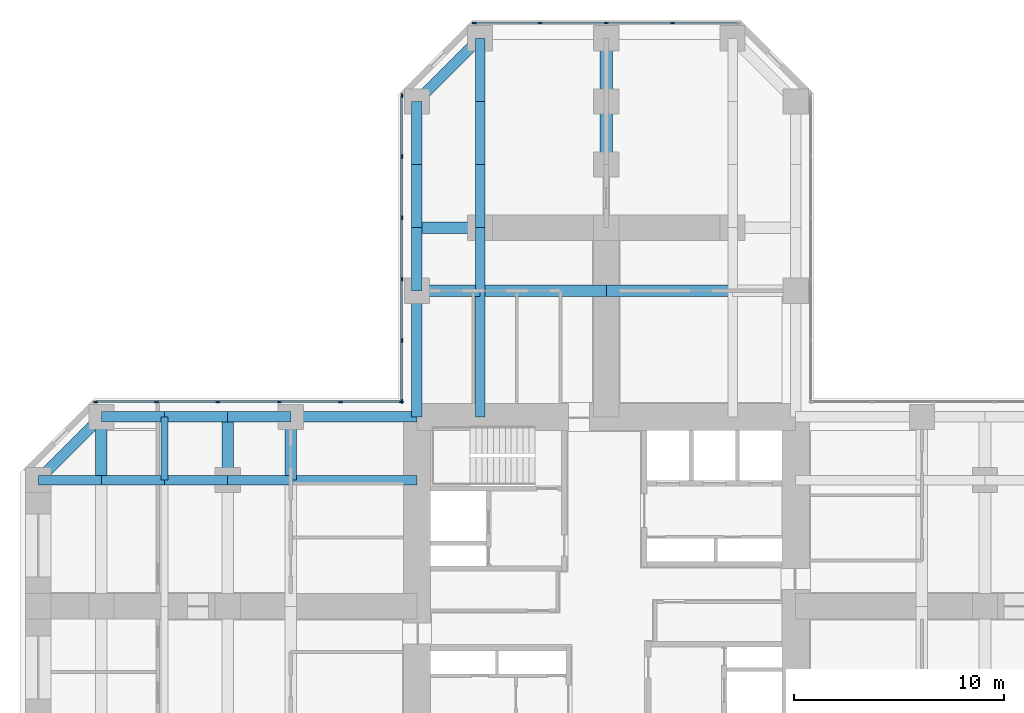
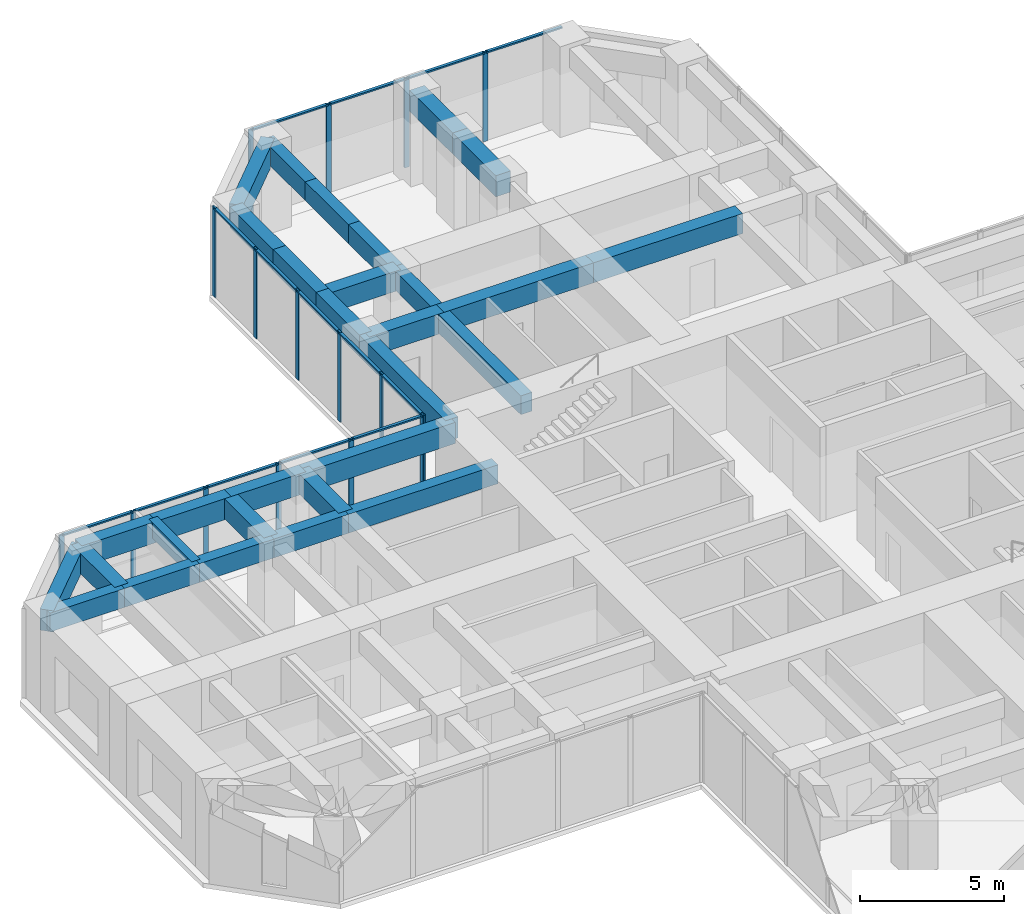
# One storey, part 5 of 13: 30 beams, 30 members, 3 elements without a shape of their own.
"""IFC4 building model written with IfcOpenShell, lengths in metres."""

from ifc_helpers import new_model, si_unit, direction, frame, origin, origin_2d, place, context, subcontext, project, spatial, rectangle, extrude, material, material_profile, profile_set, type_object, element, aggregate, save


model = new_model("IFC4")

# Units and contexts
model_context = context("Model", 3, precision=1e-05, world=origin(), true_north=direction((0.0, 1.0)))
body_context = subcontext(model_context, "Body", "Model", "MODEL_VIEW")
ifc_project = project(units=[si_unit("LENGTHUNIT", "METRE"), si_unit("AREAUNIT", "SQUARE_METRE"), si_unit("VOLUMEUNIT", "CUBIC_METRE"), si_unit("PLANEANGLEUNIT", "RADIAN"), si_unit("MASSUNIT", "GRAM", prefix="KILO")], contexts=[model_context])

# Site, building, storey
site_placement = place(None, origin())
site = spatial("IfcSite", under=ifc_project, at=site_placement, CompositionType="ELEMENT")
building_placement = place(site_placement, origin())
building = spatial("IfcBuilding", under=site, at=building_placement, Name="Torre Cruceta", CompositionType="ELEMENT")
storey_placement = place(building_placement, frame((0.0, 0.0, 47.5)))
storey = spatial("IfcBuildingStorey", under=building, at=storey_placement, Name="L11", CompositionType="ELEMENT", Elevation=47.5)

# Beams
ifc_material_1 = material(Name="Concrete G60 (fck 60 MPa)", Category="concrete")
ifc_material_profile_1 = material_profile(ifc_material_1, rectangle(XDim=0.60009765625, YDim=0.89990234375, at=origin_2d()), Name="RC 600X900")
ifc_profile_set_1 = profile_set([ifc_material_profile_1], Name="Concrete G60 (fck 60 MPa)")
beam_type_1 = type_object("IfcBeamType", Name="ARM CENTRE BEAM RC 600X900", PredefinedType="BEAM", material=ifc_profile_set_1)
for number, where, z_axis, x_axis, name in (
    (1, (0.0, 21.0, 3.35009765625), (0.0, 1.0, 0.0), (-1.0, 0.0, 0.0), "MB3 L11 N centre 1"),
    (2, (0.0, 24.0, 3.35009765625), (0.0, 1.0, 0.0), (-1.0, 0.0, 0.0), "MB3 L11 N centre 2"),
):
    element("IfcBeam", number, at=place(storey_placement, frame(where, z_axis=z_axis, x_axis=x_axis)), inside=storey, type_object=beam_type_1, Name=name, PredefinedType="BEAM", context=body_context, shape_type="SweptSolid", body=[
        extrude(rectangle(XDim=0.60009765625, YDim=0.89990234375, at=origin_2d()), origin(), (0.0, 0.0, 1.0), 3.0),
    ])
ifc_material_2 = material(Name="Concrete G60 (fck 60 MPa)", Category="concrete")
ifc_material_profile_2 = material_profile(ifc_material_2, rectangle(XDim=0.449951171875, YDim=0.800048828125, at=origin_2d()), Name="RC 450X800")
ifc_profile_set_2 = profile_set([ifc_material_profile_2], Name="Concrete G60 (fck 60 MPa)")
beam_type_2 = type_object("IfcBeamType", Name="COLUMN LINE BEAM RC 450X800", PredefinedType="BEAM", material=ifc_profile_set_2)
beam_1_placement = place(storey_placement, frame((-6.0, 9.0, 3.39990234375), z_axis=(0.0, 1.0, 0.0), x_axis=(-1.0, 0.0, 0.0)))
element("IfcBeam", 3, at=beam_1_placement, inside=storey, type_object=beam_type_2, Name="LB1 L11 N col+ 1", PredefinedType="BEAM", context=body_context, shape_type="SweptSolid", body=[
    extrude(rectangle(XDim=0.449951171875, YDim=0.800048828125, at=origin_2d()), origin(), (0.0, 0.0, 1.0), 6.0),
])
for number, where, z_axis, x_axis, name in (
    (4, (-6.0, 15.0, 3.39990234375), (0.0, 1.0, 0.0), (-1.0, 0.0, 0.0), "LB1 L11 N col+ 2"),
    (5, (-6.0, 18.0, 3.39990234375), (0.0, 1.0, 0.0), (-1.0, 0.0, 0.0), "LB1 L11 N col+ 3"),
    (6, (-6.0, 21.0, 3.39990234375), (0.0, 1.0, 0.0), (-1.0, 0.0, 0.0), "LB1 L11 N col+ 4"),
    (7, (-6.0, 24.0, 3.39990234375), (0.0, 1.0, 0.0), (-1.0, 0.0, 0.0), "LB1 L11 N col+ 5"),
):
    element("IfcBeam", number, at=place(storey_placement, frame(where, z_axis=z_axis, x_axis=x_axis)), inside=storey, type_object=beam_type_2, Name=name, PredefinedType="BEAM", context=body_context, shape_type="SweptSolid", body=[
        extrude(rectangle(XDim=0.449951171875, YDim=0.800048828125, at=origin_2d()), origin(), (0.0, 0.0, 1.0), 3.0),
    ])
beam_2_placement = place(storey_placement, frame((-9.0, 6.0, 3.39990234375), z_axis=(-1.0, 0.0, 0.0), x_axis=(0.0, -1.0, 0.0)))
element("IfcBeam", 8, at=beam_2_placement, inside=storey, type_object=beam_type_2, Name="LB1 L11 W col- 1", PredefinedType="BEAM", context=body_context, shape_type="SweptSolid", body=[
    extrude(rectangle(XDim=0.449951171875, YDim=0.800048828125, at=origin_2d()), origin(), (0.0, 0.0, 1.0), 6.0),
])
for number, where, z_axis, x_axis, name in (
    (9, (-15.0, 6.0, 3.39990234375), (-1.0, 0.0, 0.0), (0.0, -1.0, 0.0), "LB1 L11 W col- 2"),
    (10, (-18.0, 6.0, 3.39990234375), (-1.0, 0.0, 0.0), (0.0, -1.0, 0.0), "LB1 L11 W col- 3"),
    (11, (-21.0, 6.0, 3.39990234375), (-1.0, 0.0, 0.0), (0.0, -1.0, 0.0), "LB1 L11 W col- 4"),
    (12, (-24.0, 6.0, 3.39990234375), (-1.0, 0.0, 0.0), (0.0, -1.0, 0.0), "LB1 L11 W col- 5"),
):
    element("IfcBeam", number, at=place(storey_placement, frame(where, z_axis=z_axis, x_axis=x_axis)), inside=storey, type_object=beam_type_2, Name=name, PredefinedType="BEAM", context=body_context, shape_type="SweptSolid", body=[
        extrude(rectangle(XDim=0.449951171875, YDim=0.800048828125, at=origin_2d()), origin(), (0.0, 0.0, 1.0), 3.0),
    ])
ifc_material_3 = material(Name="Concrete G60 (fck 60 MPa)", Category="concrete")
ifc_material_profile_3 = material_profile(ifc_material_3, rectangle(XDim=0.550048828125, YDim=0.85009765625, at=origin_2d()), Name="RC 550X850")
ifc_profile_set_3 = profile_set([ifc_material_profile_3], Name="Concrete G60 (fck 60 MPa)")
beam_type_3 = type_object("IfcBeamType", Name="CROSS BEAM RC 550X850", PredefinedType="BEAM", material=ifc_profile_set_3)
for number, where, z_axis, x_axis, name in (
    (13, (6.0, 15.0, 3.375), (-1.0, 0.0, 0.0), (0.0, -1.0, 0.0), "GB4 L11 N cross15 2"),
    (14, (0.0, 15.0, 3.375), (-1.0, 0.0, 0.0), (0.0, -1.0, 0.0), "GB4 L11 N cross15 3"),
):
    element("IfcBeam", number, at=place(storey_placement, frame(where, z_axis=z_axis, x_axis=x_axis)), inside=storey, type_object=beam_type_3, Name=name, PredefinedType="BEAM", context=body_context, shape_type="SweptSolid", body=[
        extrude(rectangle(XDim=0.550048828125, YDim=0.85009765625, at=origin_2d()), origin(), (0.0, 0.0, 1.0), 6.0),
    ])
for number, where, z_axis, x_axis, name in (
    (15, (-6.0, 15.0, 3.375), (-1.0, 0.0, 0.0), (0.0, -1.0, 0.0), "GB4 L11 N cross15 4"),
    (16, (-6.0, 18.0, 3.375), (-1.0, 0.0, 0.0), (0.0, -1.0, 0.0), "GB4 L11 N cross18b 1"),
    (17, (-15.0, 9.0, 3.375), (0.0, -1.0, 0.0), (1.0, 0.0, 0.0), "GB4 L11 W cross15 1"),
    (18, (-18.0, 9.0, 3.375), (0.0, -1.0, 0.0), (1.0, 0.0, 0.0), "GB4 L11 W cross18 1"),
    (19, (-24.0, 9.0, 3.375), (0.0, -1.0, 0.0), (1.0, 0.0, 0.0), "GB4 L11 W cross24 1"),
):
    element("IfcBeam", number, at=place(storey_placement, frame(where, z_axis=z_axis, x_axis=x_axis)), inside=storey, type_object=beam_type_3, Name=name, PredefinedType="BEAM", context=body_context, shape_type="SweptSolid", body=[
        extrude(rectangle(XDim=0.550048828125, YDim=0.85009765625, at=origin_2d()), origin(), (0.0, 0.0, 1.0), 3.0),
    ])

# Curtain wall, members
ifc_material_4 = material(Name="Aluminium unitised curtain wall", Category="aluminium")
curtain_wall_type = type_object("IfcCurtainWallType", Name="CURTAIN WALL CW-A OFFICE LOW RISE", PredefinedType="USERDEFINED", material=ifc_material_4)
curtain_wall_1_placement = place(storey_placement, origin())
curtain_wall_1 = element("IfcCurtainWall", 20, at=curtain_wall_1_placement, inside=storey, type_object=curtain_wall_type, Name="CW-A L11 N tip 07", ObjectType="UNITISED", PredefinedType="USERDEFINED")
ifc_material_5 = material(Name="Aluminium mullion", Category="aluminium")
ifc_material_profile_4 = material_profile(ifc_material_5, rectangle(XDim=0.06494140625, YDim=0.199951171875, at=origin_2d()), Name="AL 65X200")
ifc_profile_set_4 = profile_set([ifc_material_profile_4], Name="Aluminium mullion")
member_type_1 = type_object("IfcMemberType", Name="CW-A MULLION 65X200", PredefinedType="MULLION", material=ifc_profile_set_4)
member_1_placement = place(storey_placement, frame((3.149169921875, 27.719970703125, 0.0), z_axis=(0.0, 0.0, 1.0), x_axis=(0.0, -1.0, 0.0)))
member_1 = element("IfcMember", 21, at=member_1_placement, type_object=member_type_1, Name="CW-A mullion 2", PredefinedType="MULLION", context=body_context, shape_type="SweptSolid", body=[
    extrude(rectangle(XDim=0.06494140625, YDim=0.199951171875, at=origin_2d()), origin(), (0.0, 0.0, 1.0), 3.800048828125),
])
member_2_placement = place(storey_placement, frame((0.0, 27.719970703125, 0.0), z_axis=(0.0, 0.0, 1.0), x_axis=(0.0, -1.0, 0.0)))
member_2 = element("IfcMember", 22, at=member_2_placement, type_object=member_type_1, Name="CW-A mullion 3", PredefinedType="MULLION", context=body_context, shape_type="SweptSolid", body=[
    extrude(rectangle(XDim=0.06494140625, YDim=0.199951171875, at=origin_2d()), origin(), (0.0, 0.0, 1.0), 3.800048828125),
])
member_3_placement = place(storey_placement, frame((-3.149169921875, 27.719970703125, 0.0), z_axis=(0.0, 0.0, 1.0), x_axis=(0.0, -1.0, 0.0)))
member_3 = element("IfcMember", 23, at=member_3_placement, type_object=member_type_1, Name="CW-A mullion 4", PredefinedType="MULLION", context=body_context, shape_type="SweptSolid", body=[
    extrude(rectangle(XDim=0.06494140625, YDim=0.199951171875, at=origin_2d()), origin(), (0.0, 0.0, 1.0), 3.800048828125),
])
member_4_placement = place(storey_placement, frame((-6.265625, 27.719970703125, 0.0), z_axis=(0.0, 0.0, 1.0), x_axis=(0.0, -1.0, 0.0)))
member_4 = element("IfcMember", 24, at=member_4_placement, type_object=member_type_1, Name="CW-A mullion 5", PredefinedType="MULLION", context=body_context, shape_type="SweptSolid", body=[
    extrude(rectangle(XDim=0.06494140625, YDim=0.199951171875, at=origin_2d()), origin(), (0.0, 0.0, 1.0), 3.800048828125),
])

curtain_wall_2_placement = place(storey_placement, origin())
curtain_wall_2 = element("IfcCurtainWall", 25, at=curtain_wall_2_placement, inside=storey, type_object=curtain_wall_type, Name="CW-A L11 N side 09", ObjectType="UNITISED", PredefinedType="USERDEFINED")
member_5_placement = place(storey_placement, frame((-9.719970703125, 24.265625, 0.0), z_axis=(0.0, 0.0, 1.0), x_axis=(1.0, 0.0, 0.0)))
member_5 = element("IfcMember", 26, at=member_5_placement, type_object=member_type_1, Name="CW-A mullion 1", PredefinedType="MULLION", context=body_context, shape_type="SweptSolid", body=[
    extrude(rectangle(XDim=0.06494140625, YDim=0.199951171875, at=origin_2d()), origin(), (0.0, 0.0, 1.0), 3.800048828125),
])
member_6_placement = place(storey_placement, frame((-9.719970703125, 21.382568359375, 0.0), z_axis=(0.0, 0.0, 1.0), x_axis=(1.0, 0.0, 0.0)))
member_6 = element("IfcMember", 27, at=member_6_placement, type_object=member_type_1, Name="CW-A mullion 2", PredefinedType="MULLION", context=body_context, shape_type="SweptSolid", body=[
    extrude(rectangle(XDim=0.06494140625, YDim=0.199951171875, at=origin_2d()), origin(), (0.0, 0.0, 1.0), 3.800048828125),
])
member_7_placement = place(storey_placement, frame((-9.719970703125, 18.467041015625, 0.0), z_axis=(0.0, 0.0, 1.0), x_axis=(1.0, 0.0, 0.0)))
member_7 = element("IfcMember", 28, at=member_7_placement, type_object=member_type_1, Name="CW-A mullion 3", PredefinedType="MULLION", context=body_context, shape_type="SweptSolid", body=[
    extrude(rectangle(XDim=0.06494140625, YDim=0.199951171875, at=origin_2d()), origin(), (0.0, 0.0, 1.0), 3.800048828125),
])
member_8_placement = place(storey_placement, frame((-9.719970703125, 15.55126953125, 0.0), z_axis=(0.0, 0.0, 1.0), x_axis=(1.0, 0.0, 0.0)))
member_8 = element("IfcMember", 29, at=member_8_placement, type_object=member_type_1, Name="CW-A mullion 4", PredefinedType="MULLION", context=body_context, shape_type="SweptSolid", body=[
    extrude(rectangle(XDim=0.06494140625, YDim=0.199951171875, at=origin_2d()), origin(), (0.0, 0.0, 1.0), 3.800048828125),
])
member_9_placement = place(storey_placement, frame((-9.719970703125, 12.6357421875, 0.0), z_axis=(0.0, 0.0, 1.0), x_axis=(1.0, 0.0, 0.0)))
member_9 = element("IfcMember", 30, at=member_9_placement, type_object=member_type_1, Name="CW-A mullion 5", PredefinedType="MULLION", context=body_context, shape_type="SweptSolid", body=[
    extrude(rectangle(XDim=0.06494140625, YDim=0.199951171875, at=origin_2d()), origin(), (0.0, 0.0, 1.0), 3.800048828125),
])
member_10_placement = place(storey_placement, frame((-9.719970703125, 9.75244140625, 0.0), z_axis=(0.0, 0.0, 1.0), x_axis=(1.0, 0.0, 0.0)))
member_10 = element("IfcMember", 31, at=member_10_placement, type_object=member_type_1, Name="CW-A mullion 6", PredefinedType="MULLION", context=body_context, shape_type="SweptSolid", body=[
    extrude(rectangle(XDim=0.06494140625, YDim=0.199951171875, at=origin_2d()), origin(), (0.0, 0.0, 1.0), 3.800048828125),
])

curtain_wall_3_placement = place(storey_placement, origin())
curtain_wall_3 = element("IfcCurtainWall", 32, at=curtain_wall_3_placement, inside=storey, type_object=curtain_wall_type, Name="CW-A L11 W side 10", ObjectType="UNITISED", PredefinedType="USERDEFINED")
member_11_placement = place(storey_placement, frame((-9.75244140625, 9.719970703125, 0.0), z_axis=(0.0, 0.0, 1.0), x_axis=(0.0, -1.0, 0.0)))
member_11 = element("IfcMember", 33, at=member_11_placement, type_object=member_type_1, Name="CW-A mullion 1", PredefinedType="MULLION", context=body_context, shape_type="SweptSolid", body=[
    extrude(rectangle(XDim=0.06494140625, YDim=0.199951171875, at=origin_2d()), origin(), (0.0, 0.0, 1.0), 3.800048828125),
])
member_12_placement = place(storey_placement, frame((-12.6357421875, 9.719970703125, 0.0), z_axis=(0.0, 0.0, 1.0), x_axis=(0.0, -1.0, 0.0)))
member_12 = element("IfcMember", 34, at=member_12_placement, type_object=member_type_1, Name="CW-A mullion 2", PredefinedType="MULLION", context=body_context, shape_type="SweptSolid", body=[
    extrude(rectangle(XDim=0.06494140625, YDim=0.199951171875, at=origin_2d()), origin(), (0.0, 0.0, 1.0), 3.800048828125),
])
member_13_placement = place(storey_placement, frame((-15.55126953125, 9.719970703125, 0.0), z_axis=(0.0, 0.0, 1.0), x_axis=(0.0, -1.0, 0.0)))
member_13 = element("IfcMember", 35, at=member_13_placement, type_object=member_type_1, Name="CW-A mullion 3", PredefinedType="MULLION", context=body_context, shape_type="SweptSolid", body=[
    extrude(rectangle(XDim=0.06494140625, YDim=0.199951171875, at=origin_2d()), origin(), (0.0, 0.0, 1.0), 3.800048828125),
])
member_14_placement = place(storey_placement, frame((-18.467041015625, 9.719970703125, 0.0), z_axis=(0.0, 0.0, 1.0), x_axis=(0.0, -1.0, 0.0)))
member_14 = element("IfcMember", 36, at=member_14_placement, type_object=member_type_1, Name="CW-A mullion 4", PredefinedType="MULLION", context=body_context, shape_type="SweptSolid", body=[
    extrude(rectangle(XDim=0.06494140625, YDim=0.199951171875, at=origin_2d()), origin(), (0.0, 0.0, 1.0), 3.800048828125),
])
member_15_placement = place(storey_placement, frame((-21.382568359375, 9.719970703125, 0.0), z_axis=(0.0, 0.0, 1.0), x_axis=(0.0, -1.0, 0.0)))
member_15 = element("IfcMember", 37, at=member_15_placement, type_object=member_type_1, Name="CW-A mullion 5", PredefinedType="MULLION", context=body_context, shape_type="SweptSolid", body=[
    extrude(rectangle(XDim=0.06494140625, YDim=0.199951171875, at=origin_2d()), origin(), (0.0, 0.0, 1.0), 3.800048828125),
])
member_16_placement = place(storey_placement, frame((-24.265625, 9.719970703125, 0.0), z_axis=(0.0, 0.0, 1.0), x_axis=(0.0, -1.0, 0.0)))
member_16 = element("IfcMember", 38, at=member_16_placement, type_object=member_type_1, Name="CW-A mullion 6", PredefinedType="MULLION", context=body_context, shape_type="SweptSolid", body=[
    extrude(rectangle(XDim=0.06494140625, YDim=0.199951171875, at=origin_2d()), origin(), (0.0, 0.0, 1.0), 3.800048828125),
])

# Member
ifc_material_6 = material(Name="Aluminium transom", Category="aluminium")
ifc_material_profile_5 = material_profile(ifc_material_6, rectangle(XDim=0.1201171875, YDim=0.06494140625, at=origin_2d()), Name="AL 120X65")
ifc_profile_set_5 = profile_set([ifc_material_profile_5], Name="Aluminium transom")
member_type_2 = type_object("IfcMemberType", Name="CW-A TRANSOM 65X120", PredefinedType="USERDEFINED", material=ifc_profile_set_5)
member_17_placement = place(storey_placement, frame((6.233154296875, 27.719970703125, 3.767578125), z_axis=(-1.0, 0.0, 0.0), x_axis=(0.0, -1.0, 0.0)))
member_17 = element("IfcMember", 39, at=member_17_placement, type_object=member_type_2, Name="CW-A transom 1", ObjectType="TRANSOM", PredefinedType="USERDEFINED", context=body_context, shape_type="SweptSolid", body=[
    extrude(rectangle(XDim=0.1201171875, YDim=0.06494140625, at=origin_2d()), origin(), (0.0, 0.0, 1.0), 3.051513671875),
])

member_18_placement = place(storey_placement, frame((3.11669921875, 27.719970703125, 3.767578125), z_axis=(-1.0, 0.0, 0.0), x_axis=(0.0, -1.0, 0.0)))
member_18 = element("IfcMember", 40, at=member_18_placement, type_object=member_type_2, Name="CW-A transom 2", ObjectType="TRANSOM", PredefinedType="USERDEFINED", context=body_context, shape_type="SweptSolid", body=[
    extrude(rectangle(XDim=0.1201171875, YDim=0.06494140625, at=origin_2d()), origin(), (0.0, 0.0, 1.0), 3.084228515625),
])

member_19_placement = place(storey_placement, frame((-0.032470703125, 27.719970703125, 3.767578125), z_axis=(-1.0, 0.0, 0.0), x_axis=(0.0, -1.0, 0.0)))
member_19 = element("IfcMember", 41, at=member_19_placement, type_object=member_type_2, Name="CW-A transom 3", ObjectType="TRANSOM", PredefinedType="USERDEFINED", context=body_context, shape_type="SweptSolid", body=[
    extrude(rectangle(XDim=0.1201171875, YDim=0.06494140625, at=origin_2d()), origin(), (0.0, 0.0, 1.0), 3.084228515625),
])

member_20_placement = place(storey_placement, frame((-3.181640625, 27.719970703125, 3.767578125), z_axis=(-1.0, 0.0, 0.0), x_axis=(0.0, -1.0, 0.0)))
member_20 = element("IfcMember", 42, at=member_20_placement, type_object=member_type_2, Name="CW-A transom 4", ObjectType="TRANSOM", PredefinedType="USERDEFINED", context=body_context, shape_type="SweptSolid", body=[
    extrude(rectangle(XDim=0.1201171875, YDim=0.06494140625, at=origin_2d()), origin(), (0.0, 0.0, 1.0), 3.051513671875),
])

aggregate(curtain_wall_1, [member_1, member_2, member_3, member_4, member_17, member_18, member_19, member_20])

member_21_placement = place(storey_placement, frame((-9.719970703125, 24.233154296875, 3.767578125), z_axis=(0.0, -1.0, 0.0), x_axis=(1.0, 0.0, 0.0)))
member_21 = element("IfcMember", 43, at=member_21_placement, type_object=member_type_2, Name="CW-A transom 1", ObjectType="TRANSOM", PredefinedType="USERDEFINED", context=body_context, shape_type="SweptSolid", body=[
    extrude(rectangle(XDim=0.1201171875, YDim=0.06494140625, at=origin_2d()), origin(), (0.0, 0.0, 1.0), 2.818115234375),
])

member_22_placement = place(storey_placement, frame((-9.719970703125, 21.35009765625, 3.767578125), z_axis=(0.0, -1.0, 0.0), x_axis=(1.0, 0.0, 0.0)))
member_22 = element("IfcMember", 44, at=member_22_placement, type_object=member_type_2, Name="CW-A transom 2", ObjectType="TRANSOM", PredefinedType="USERDEFINED", context=body_context, shape_type="SweptSolid", body=[
    extrude(rectangle(XDim=0.1201171875, YDim=0.06494140625, at=origin_2d()), origin(), (0.0, 0.0, 1.0), 2.8505859375),
])

member_23_placement = place(storey_placement, frame((-9.719970703125, 18.434326171875, 3.767578125), z_axis=(0.0, -1.0, 0.0), x_axis=(1.0, 0.0, 0.0)))
member_23 = element("IfcMember", 45, at=member_23_placement, type_object=member_type_2, Name="CW-A transom 3", ObjectType="TRANSOM", PredefinedType="USERDEFINED", context=body_context, shape_type="SweptSolid", body=[
    extrude(rectangle(XDim=0.1201171875, YDim=0.06494140625, at=origin_2d()), origin(), (0.0, 0.0, 1.0), 2.8505859375),
])

member_24_placement = place(storey_placement, frame((-9.719970703125, 15.518798828125, 3.767578125), z_axis=(0.0, -1.0, 0.0), x_axis=(1.0, 0.0, 0.0)))
member_24 = element("IfcMember", 46, at=member_24_placement, type_object=member_type_2, Name="CW-A transom 4", ObjectType="TRANSOM", PredefinedType="USERDEFINED", context=body_context, shape_type="SweptSolid", body=[
    extrude(rectangle(XDim=0.1201171875, YDim=0.06494140625, at=origin_2d()), origin(), (0.0, 0.0, 1.0), 2.8505859375),
])

member_25_placement = place(storey_placement, frame((-9.719970703125, 12.60302734375, 3.767578125), z_axis=(0.0, -1.0, 0.0), x_axis=(1.0, 0.0, 0.0)))
member_25 = element("IfcMember", 47, at=member_25_placement, type_object=member_type_2, Name="CW-A transom 5", ObjectType="TRANSOM", PredefinedType="USERDEFINED", context=body_context, shape_type="SweptSolid", body=[
    extrude(rectangle(XDim=0.1201171875, YDim=0.06494140625, at=origin_2d()), origin(), (0.0, 0.0, 1.0), 2.818115234375),
])

aggregate(curtain_wall_2, [member_5, member_6, member_7, member_8, member_9, member_10, member_21, member_22, member_23, member_24, member_25])

member_26_placement = place(storey_placement, frame((-9.784912109375, 9.719970703125, 3.767578125), z_axis=(-1.0, 0.0, 0.0), x_axis=(0.0, -1.0, 0.0)))
member_26 = element("IfcMember", 48, at=member_26_placement, type_object=member_type_2, Name="CW-A transom 1", ObjectType="TRANSOM", PredefinedType="USERDEFINED", context=body_context, shape_type="SweptSolid", body=[
    extrude(rectangle(XDim=0.1201171875, YDim=0.06494140625, at=origin_2d()), origin(), (0.0, 0.0, 1.0), 2.818115234375),
])

member_27_placement = place(storey_placement, frame((-12.668212890625, 9.719970703125, 3.767578125), z_axis=(-1.0, 0.0, 0.0), x_axis=(0.0, -1.0, 0.0)))
member_27 = element("IfcMember", 49, at=member_27_placement, type_object=member_type_2, Name="CW-A transom 2", ObjectType="TRANSOM", PredefinedType="USERDEFINED", context=body_context, shape_type="SweptSolid", body=[
    extrude(rectangle(XDim=0.1201171875, YDim=0.06494140625, at=origin_2d()), origin(), (0.0, 0.0, 1.0), 2.8505859375),
])

member_28_placement = place(storey_placement, frame((-15.583740234375, 9.719970703125, 3.767578125), z_axis=(-1.0, 0.0, 0.0), x_axis=(0.0, -1.0, 0.0)))
member_28 = element("IfcMember", 50, at=member_28_placement, type_object=member_type_2, Name="CW-A transom 3", ObjectType="TRANSOM", PredefinedType="USERDEFINED", context=body_context, shape_type="SweptSolid", body=[
    extrude(rectangle(XDim=0.1201171875, YDim=0.06494140625, at=origin_2d()), origin(), (0.0, 0.0, 1.0), 2.8505859375),
])

member_29_placement = place(storey_placement, frame((-18.49951171875, 9.719970703125, 3.767578125), z_axis=(-1.0, 0.0, 0.0), x_axis=(0.0, -1.0, 0.0)))
member_29 = element("IfcMember", 51, at=member_29_placement, type_object=member_type_2, Name="CW-A transom 4", ObjectType="TRANSOM", PredefinedType="USERDEFINED", context=body_context, shape_type="SweptSolid", body=[
    extrude(rectangle(XDim=0.1201171875, YDim=0.06494140625, at=origin_2d()), origin(), (0.0, 0.0, 1.0), 2.8505859375),
])

member_30_placement = place(storey_placement, frame((-21.4150390625, 9.719970703125, 3.767578125), z_axis=(-1.0, 0.0, 0.0), x_axis=(0.0, -1.0, 0.0)))
member_30 = element("IfcMember", 52, at=member_30_placement, type_object=member_type_2, Name="CW-A transom 5", ObjectType="TRANSOM", PredefinedType="USERDEFINED", context=body_context, shape_type="SweptSolid", body=[
    extrude(rectangle(XDim=0.1201171875, YDim=0.06494140625, at=origin_2d()), origin(), (0.0, 0.0, 1.0), 2.818115234375),
])

aggregate(curtain_wall_3, [member_11, member_12, member_13, member_14, member_15, member_16, member_26, member_27, member_28, member_29, member_30])

# Beams
ifc_material_7 = material(Name="Concrete G60 (fck 60 MPa)", Category="concrete")
ifc_material_profile_6 = material_profile(ifc_material_7, rectangle(XDim=0.35009765625, YDim=0.64990234375, at=origin_2d()), Name="RC 350X650")
ifc_profile_set_6 = profile_set([ifc_material_profile_6], Name="Concrete G60 (fck 60 MPa)")
beam_type_4 = type_object("IfcBeamType", Name="SECONDARY BEAM RC 350X650", PredefinedType="JOIST", material=ifc_profile_set_6)
beam_3_placement = place(storey_placement, frame((-21.0, 9.0, 3.47509765625), z_axis=(0.0, -1.0, 0.0), x_axis=(1.0, 0.0, 0.0)))
element("IfcBeam", 53, at=beam_3_placement, inside=storey, type_object=beam_type_4, Name="JB3 L11 W sec21 1", PredefinedType="JOIST", context=body_context, shape_type="SweptSolid", body=[
    extrude(rectangle(XDim=0.35009765625, YDim=0.64990234375, at=origin_2d()), origin(), (0.0, 0.0, 1.0), 3.0),
])
ifc_material_8 = material(Name="Concrete G60 (fck 60 MPa)", Category="concrete")
ifc_material_profile_7 = material_profile(ifc_material_8, rectangle(XDim=0.5, YDim=0.89990234375, at=origin_2d()), Name="RC 500X900")
ifc_profile_set_7 = profile_set([ifc_material_profile_7], Name="Concrete G60 (fck 60 MPa)")
beam_type_5 = type_object("IfcBeamType", Name="SPANDREL BEAM RC 500X900", PredefinedType="SPANDREL", material=ifc_profile_set_7)
beam_4_placement = place(storey_placement, frame((-9.0, 9.0, 3.35009765625), z_axis=(0.0, 1.0, 0.0), x_axis=(-1.0, 0.0, 0.0)))
element("IfcBeam", 54, at=beam_4_placement, inside=storey, type_object=beam_type_5, Name="SB4 L11 N side+ 1", PredefinedType="SPANDREL", context=body_context, shape_type="SweptSolid", body=[
    extrude(rectangle(XDim=0.5, YDim=0.89990234375, at=origin_2d()), origin(), (0.0, 0.0, 1.0), 6.0),
])
for number, where, z_axis, x_axis, name in (
    (55, (-9.0, 15.0, 3.35009765625), (0.0, 1.0, 0.0), (-1.0, 0.0, 0.0), "SB4 L11 N side+ 2"),
    (56, (-9.0, 18.0, 3.35009765625), (0.0, 1.0, 0.0), (-1.0, 0.0, 0.0), "SB4 L11 N side+ 3"),
    (57, (-9.0, 21.0, 3.35009765625), (0.0, 1.0, 0.0), (-1.0, 0.0, 0.0), "SB4 L11 N side+ 4"),
):
    element("IfcBeam", number, at=place(storey_placement, frame(where, z_axis=z_axis, x_axis=x_axis)), inside=storey, type_object=beam_type_5, Name=name, PredefinedType="SPANDREL", context=body_context, shape_type="SweptSolid", body=[
        extrude(rectangle(XDim=0.5, YDim=0.89990234375, at=origin_2d()), origin(), (0.0, 0.0, 1.0), 3.0),
    ])
beam_5_placement = place(storey_placement, frame((-9.0, 24.0, 3.35009765625), z_axis=(0.707106781187, 0.707106781187, 0.0), x_axis=(-0.707106781187, 0.707106781187, 0.0)))
element("IfcBeam", 58, at=beam_5_placement, inside=storey, type_object=beam_type_5, Name="SB4 L11 N side+ 5", PredefinedType="SPANDREL", context=body_context, shape_type="SweptSolid", body=[
    extrude(rectangle(XDim=0.5, YDim=0.89990234375, at=origin_2d()), origin(), (0.0, 0.0, 1.0), 4.24267578125),
])
beam_6_placement = place(storey_placement, frame((-9.0, 9.0, 3.35009765625), z_axis=(-1.0, 0.0, 0.0), x_axis=(0.0, -1.0, 0.0)))
element("IfcBeam", 59, at=beam_6_placement, inside=storey, type_object=beam_type_5, Name="SB4 L11 W side- 1", PredefinedType="SPANDREL", context=body_context, shape_type="SweptSolid", body=[
    extrude(rectangle(XDim=0.5, YDim=0.89990234375, at=origin_2d()), origin(), (0.0, 0.0, 1.0), 6.0),
])
for number, where, z_axis, x_axis, name in (
    (60, (-15.0, 9.0, 3.35009765625), (-1.0, 0.0, 0.0), (0.0, -1.0, 0.0), "SB4 L11 W side- 2"),
    (61, (-18.0, 9.0, 3.35009765625), (-1.0, 0.0, 0.0), (0.0, -1.0, 0.0), "SB4 L11 W side- 3"),
    (62, (-21.0, 9.0, 3.35009765625), (-1.0, 0.0, 0.0), (0.0, -1.0, 0.0), "SB4 L11 W side- 4"),
):
    element("IfcBeam", number, at=place(storey_placement, frame(where, z_axis=z_axis, x_axis=x_axis)), inside=storey, type_object=beam_type_5, Name=name, PredefinedType="SPANDREL", context=body_context, shape_type="SweptSolid", body=[
        extrude(rectangle(XDim=0.5, YDim=0.89990234375, at=origin_2d()), origin(), (0.0, 0.0, 1.0), 3.0),
    ])
beam_7_placement = place(storey_placement, frame((-24.0, 9.0, 3.35009765625), z_axis=(-0.707106781187, -0.707106781187, 0.0), x_axis=(0.707106781187, -0.707106781187, 0.0)))
element("IfcBeam", 63, at=beam_7_placement, inside=storey, type_object=beam_type_5, Name="SB4 L11 W side- 5", PredefinedType="SPANDREL", context=body_context, shape_type="SweptSolid", body=[
    extrude(rectangle(XDim=0.5, YDim=0.89990234375, at=origin_2d()), origin(), (0.0, 0.0, 1.0), 4.24267578125),
])

save(model, "model.ifc")
